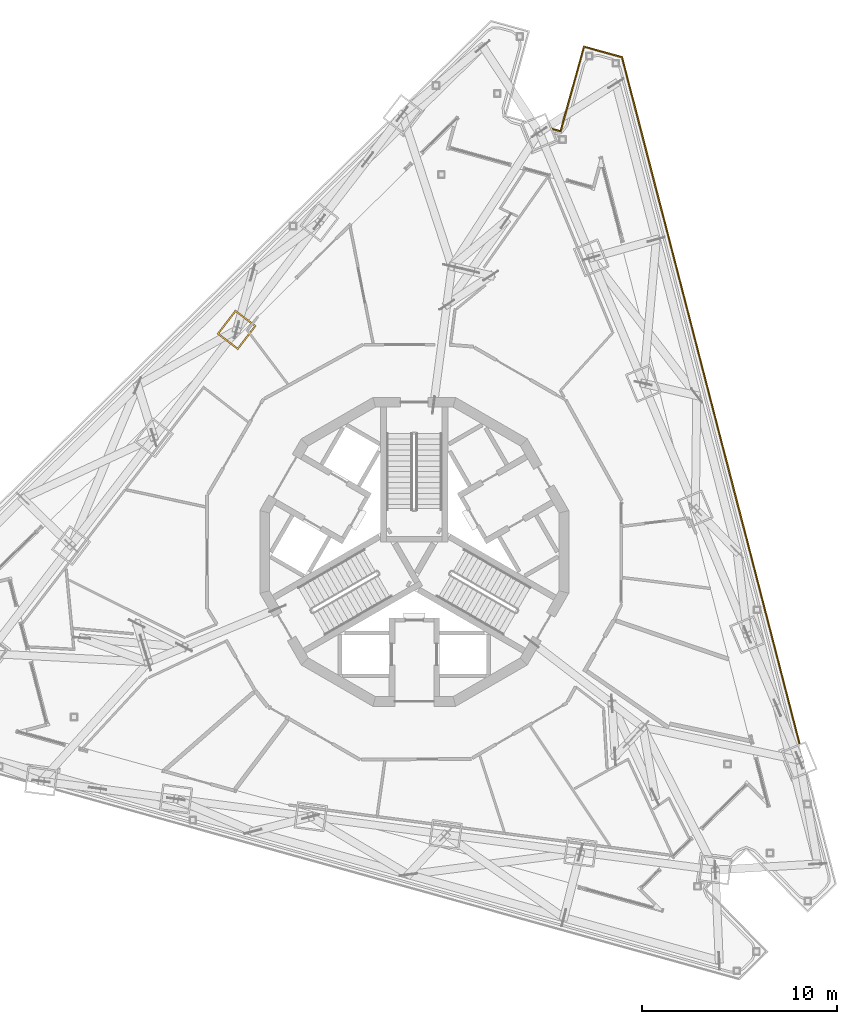
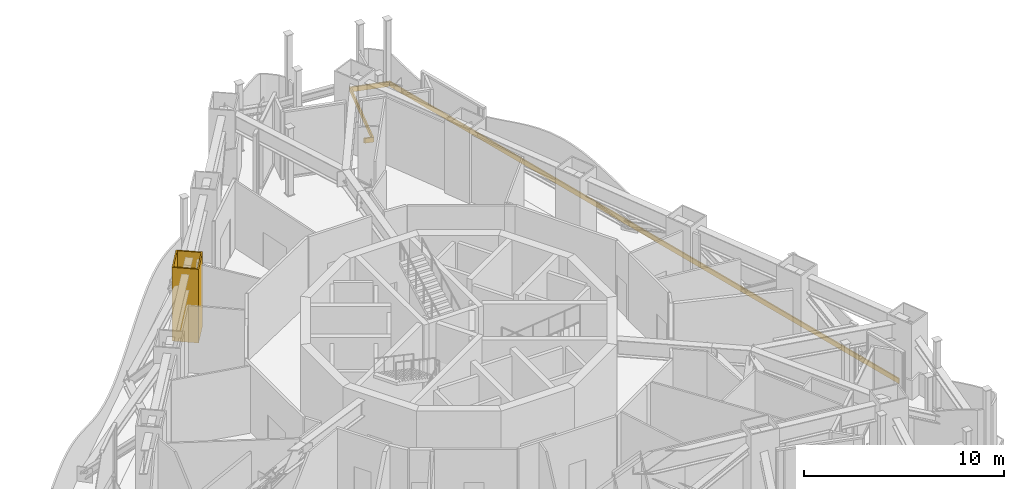
# One storey, part 21 of 22: 2 coverings.
"""IFC4 building model written with IfcOpenShell, lengths in metres."""

from ifc_helpers import new_model, si_unit, direction, frame, origin, place, context, subcontext, project, spatial, polyline, outline, extrude, material, layer, layer_set, type_object, element, save


model = new_model("IFC4")

# Units and contexts
model_context = context("Model", 3, precision=1e-05, world=origin(), true_north=direction((0.0, 1.0)))
body_context = subcontext(model_context, "Body", "Model", "MODEL_VIEW")
ifc_project = project(units=[si_unit("LENGTHUNIT", "METRE"), si_unit("AREAUNIT", "SQUARE_METRE"), si_unit("VOLUMEUNIT", "CUBIC_METRE"), si_unit("PLANEANGLEUNIT", "RADIAN"), si_unit("MASSUNIT", "GRAM", prefix="KILO")], contexts=[model_context])

# Site, building, storey
site_placement = place(None, origin())
site = spatial("IfcSite", under=ifc_project, at=site_placement, CompositionType="ELEMENT")
building_placement = place(site_placement, origin())
building = spatial("IfcBuilding", under=site, at=building_placement, Name="Trine Commons Tower", CompositionType="ELEMENT")
storey_placement = place(building_placement, frame((0.0, 0.0, 267.300048828125)))
storey = spatial("IfcBuildingStorey", under=building, at=storey_placement, Name="L70", CompositionType="ELEMENT", Elevation=267.300048828125)

# Coverings
ifc_material = material(Name="Limestone, honed", Category="masonry")
ifc_layer_1 = layer(ifc_material, 0.074951171875)
ifc_layer_set_1 = layer_set([ifc_layer_1], Name="Limestone, honed")
covering_type_1 = type_object("IfcCoveringType", Name="Limestone column cladding 75", PredefinedType="CLADDING", material=ifc_layer_set_1)
covering_1_placement = place(storey_placement, origin())
element("IfcCovering", 1, at=covering_1_placement, inside=storey, type_object=covering_type_1, Name="Limestone pier cladding 8-10", PredefinedType="CLADDING", context=body_context, shape_type="SweptSolid", body=[
    extrude(outline(polyline([(71.898193359375, 74.088134765625), (70.8271484375, 74.909912109375), (69.883544921875, 73.680419921875), (70.95458984375, 72.8583984375), (71.898193359375, 74.088134765625)]), holes=[polyline([(71.79296875, 74.07421875), (70.8408203125, 74.8046875), (69.98876953125, 73.694091796875), (70.940673828125, 72.963623046875), (71.79296875, 74.07421875)])]), origin(), (0.0, 0.0, 1.0), 4.5),
])
ifc_layer_2 = layer(ifc_material, 0.074951171875)
ifc_layer_set_2 = layer_set([ifc_layer_2], Name="Limestone, honed")
covering_type_2 = type_object("IfcCoveringType", Name="Limestone spandrel panel 75", PredefinedType="CLADDING", material=ifc_layer_set_2)
covering_2_placement = place(storey_placement, frame((0.0, 0.0, -0.300048828125)))
element("IfcCovering", 2, at=covering_2_placement, inside=storey, type_object=covering_type_2, Name="Limestone spandrel panel 7-04", PredefinedType="CLADDING", context=body_context, shape_type="SweptSolid", body=[
    extrude(outline(polyline([(87.474365234375, 84.119140625), (87.050537109375, 84.23681640625), (87.0869140625, 84.148681640625), (87.526611328125, 84.02685546875), (88.72900390625, 88.36328125), (90.621826171875, 87.83837890625), (99.724609375, 52.64111328125), (99.79443359375, 52.669921875), (90.68359375, 87.899169921875), (88.677001953125, 88.45556640625), (87.474365234375, 84.119140625)])), origin(), (0.0, 0.0, 1.0), 0.300048828125),
])

save(model, "model.ifc")
